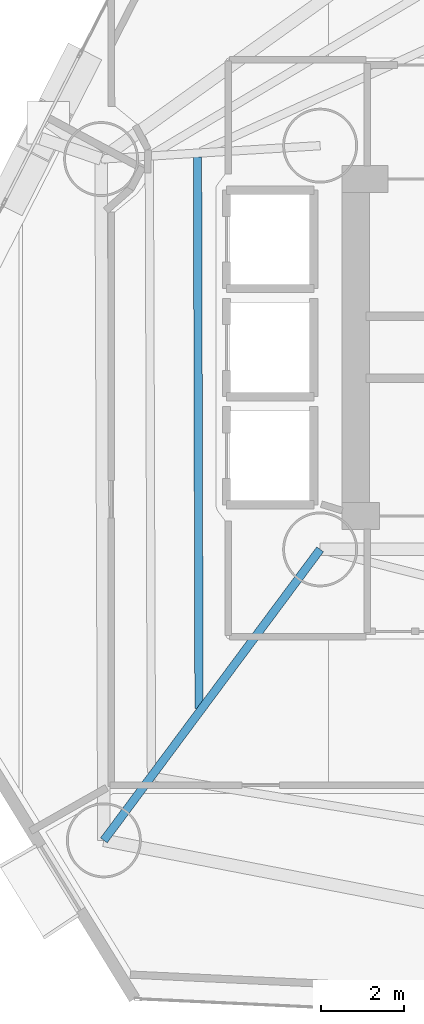
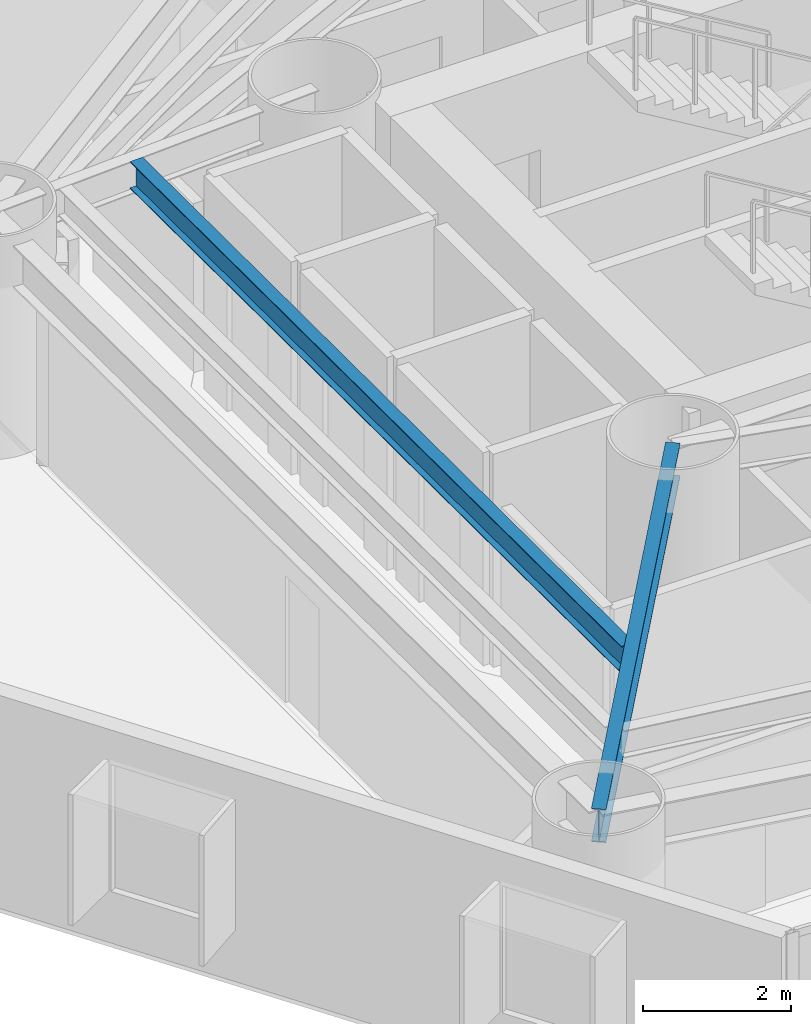
# One storey, part 4 of 23: 2 beams.
"""IFC4 building model written with IfcOpenShell, lengths in metres."""

from ifc_helpers import new_model, si_unit, direction, frame, origin, origin_2d, place, context, subcontext, project, spatial, i_section, extrude, material, material_profile, profile_set, type_object, element, save


model = new_model("IFC4")

# Units and contexts
model_context = context("Model", 3, precision=1e-05, world=origin(), true_north=direction((0.0, 1.0)))
body_context = subcontext(model_context, "Body", "Model", "MODEL_VIEW")
ifc_project = project(units=[si_unit("LENGTHUNIT", "METRE"), si_unit("AREAUNIT", "SQUARE_METRE"), si_unit("VOLUMEUNIT", "CUBIC_METRE"), si_unit("PLANEANGLEUNIT", "RADIAN"), si_unit("MASSUNIT", "GRAM", prefix="KILO")], contexts=[model_context])

# Site, building, storey
site_placement = place(None, origin())
site = spatial("IfcSite", under=ifc_project, at=site_placement, CompositionType="ELEMENT")
building_placement = place(site_placement, origin())
building = spatial("IfcBuilding", under=site, at=building_placement, Name="Qianvela Tower", CompositionType="ELEMENT")
storey_placement = place(building_placement, frame((0.0, 0.0, 29.39990234375)))
storey = spatial("IfcBuildingStorey", under=building, at=storey_placement, Name="L06", CompositionType="ELEMENT", Elevation=29.39990234375)

# Beams
ifc_material_1 = material(Name="Steel Q355B", Category="steel")
ifc_material_profile_1 = material_profile(ifc_material_1, i_section(OverallWidth=0.199951171875, OverallDepth=0.449951171875, WebThickness=0.009033203125, FlangeThickness=0.013916015625, at=origin_2d()), Name="HN450x200x9x14")
ifc_profile_set_1 = profile_set([ifc_material_profile_1], Name="Steel Q355B")
beam_type_1 = type_object("IfcBeamType", Name="BM-HN450-JOIST", PredefinedType="JOIST", material=ifc_profile_set_1)
beam_1_placement = place(storey_placement, frame((25.653564453125, 33.273681640625, 3.293212890625), z_axis=(0.002747039783, -0.999996226879, 0.0), x_axis=(0.999996226879, 0.002747039783, 0.0)))
element("IfcBeam", 1, at=beam_1_placement, inside=storey, type_object=beam_type_1, Name="L06 Secondary Composite Floor Joist 4.2", PredefinedType="JOIST", context=body_context, shape_type="SweptSolid", body=[
    extrude(i_section(OverallWidth=0.199951171875, OverallDepth=0.449951171875, WebThickness=0.009033203125, FlangeThickness=0.013916015625, at=origin_2d()), origin(), (0.0, 0.0, 1.0), 13.2421875),
])
ifc_material_2 = material(Name="Steel Q355B", Category="steel")
ifc_material_profile_2 = material_profile(ifc_material_2, i_section(OverallWidth=0.199951171875, OverallDepth=0.550048828125, WebThickness=0.010009765625, FlangeThickness=0.01611328125, at=origin_2d()), Name="HN550x200x10x16")
ifc_profile_set_2 = profile_set([ifc_material_profile_2], Name="Steel Q355B")
beam_type_2 = type_object("IfcBeamType", Name="BM-HN550-GIRD", PredefinedType="BEAM", material=ifc_profile_set_2)
beam_2_placement = place(storey_placement, frame((28.60009765625, 23.85009765625, 3.2431640625), z_axis=(-0.596581498031, -0.802552500593, 0.0), x_axis=(0.802552500593, -0.596581498031, 0.0)))
element("IfcBeam", 2, at=beam_2_placement, inside=storey, type_object=beam_type_2, Name="L06 Radial Primary Floor Girder 5", PredefinedType="BEAM", context=body_context, shape_type="SweptSolid", body=[
    extrude(i_section(OverallWidth=0.199951171875, OverallDepth=0.550048828125, WebThickness=0.010009765625, FlangeThickness=0.01611328125, at=origin_2d()), origin(), (0.0, 0.0, 1.0), 8.709716796875),
])

save(model, "model.ifc")
